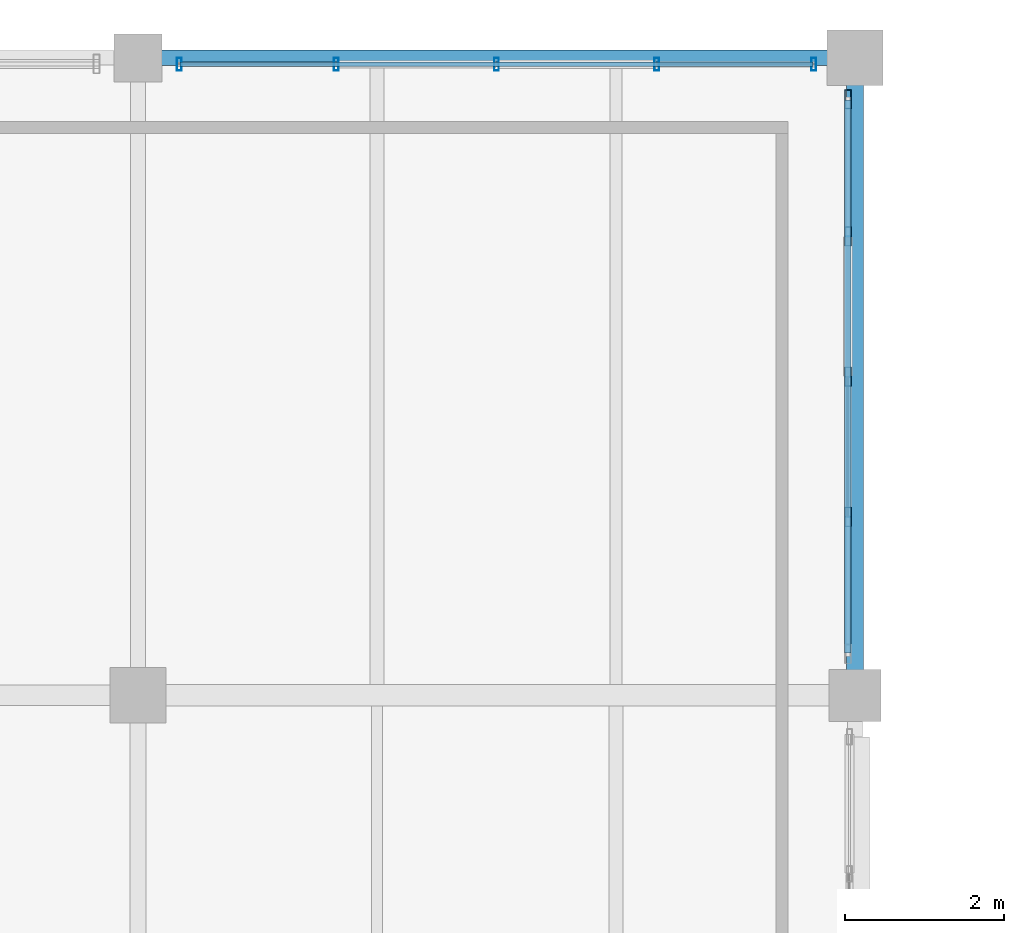
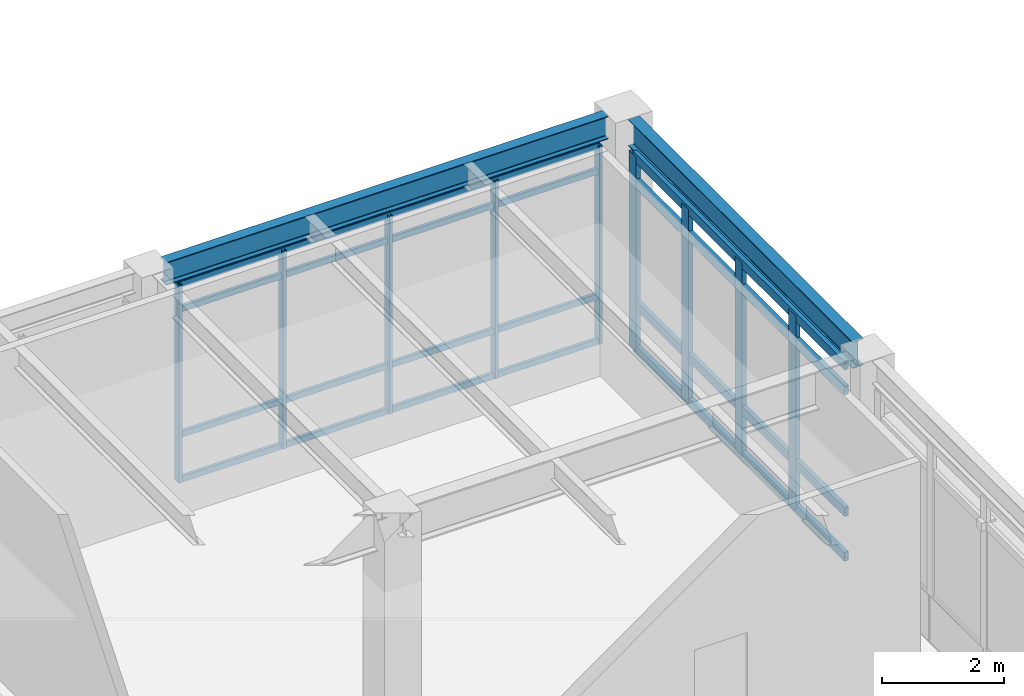
# One storey, part 97 of 200: 17 members, 2 beams, 2 elements without a shape of their own.
"""IFC4 building model written with IfcOpenShell, lengths in metres."""

from ifc_helpers import new_model, si_unit, direction, frame, origin, origin_2d, place, context, subcontext, project, spatial, hollow_rectangle, i_section, extrude, material, material_profile, profile_set, type_object, element, aggregate, save


model = new_model("IFC4")

# Units and contexts
model_context = context("Model", 3, precision=1e-05, world=origin(), true_north=direction((0.0, 1.0)))
body_context = subcontext(model_context, "Body", "Model", "MODEL_VIEW")
ifc_project = project(units=[si_unit("LENGTHUNIT", "METRE"), si_unit("AREAUNIT", "SQUARE_METRE"), si_unit("VOLUMEUNIT", "CUBIC_METRE"), si_unit("PLANEANGLEUNIT", "RADIAN"), si_unit("MASSUNIT", "GRAM", prefix="KILO"), si_unit("THERMODYNAMICTEMPERATUREUNIT", "KELVIN"), si_unit("POWERUNIT", "WATT")], contexts=[model_context])

# Site, building, storey
site_placement = place(None, origin())
site = spatial("IfcSite", under=ifc_project, at=site_placement, CompositionType="ELEMENT")
building_placement = place(site_placement, origin())
building = spatial("IfcBuilding", under=site, at=building_placement, Name="Tepalcoro Natatorium and Aquatics Centre", CompositionType="ELEMENT")
storey_placement = place(building_placement, frame((0.0, 0.0, 5.39990234375)))
storey = spatial("IfcBuildingStorey", under=building, at=storey_placement, Name="L01", CompositionType="ELEMENT", Elevation=5.39990234375)

# Curtain wall, members
ifc_material_1 = material(Name="Bronze-Anodised Extruded Aluminium Alloy EN AW-6063 T6", Category="aluminium")
curtain_wall_type_1 = type_object("IfcCurtainWallType", Name="CW_V5_LOWER", PredefinedType="USERDEFINED", material=ifc_material_1)
curtain_wall_1_placement = place(storey_placement, origin())
curtain_wall_1 = element("IfcCurtainWall", 1, at=curtain_wall_1_placement, inside=storey, type_object=curtain_wall_type_1, Name="V4 L01 N Unitised Curtain Wall Bay 9", ObjectType="UNITISED STOREFRONT", PredefinedType="USERDEFINED")
ifc_material_profile_1 = material_profile(ifc_material_1, hollow_rectangle(XDim=0.06005859375, YDim=0.159912109375, WallThickness=0.00390625, at=origin_2d()), Name="AL60X160X4")
ifc_profile_set_1 = profile_set([ifc_material_profile_1], Name="Bronze-Anodised Extruded Aluminium Alloy EN AW-6063 T6")
member_type_1 = type_object("IfcMemberType", Name="CW_MUL_60x160", PredefinedType="MULLION", material=ifc_profile_set_1)
member_1_placement = place(storey_placement, frame((80.52001953125, 117.919921875, 0.02001953125), z_axis=(0.0, 0.0, 1.0), x_axis=(1.0, 0.0, 0.0)))
member_1 = element("IfcMember", 2, at=member_1_placement, type_object=member_type_1, Name="CW_V5_LOWER Curtain Wall Mullion", PredefinedType="MULLION", context=body_context, shape_type="SweptSolid", body=[
    extrude(hollow_rectangle(XDim=0.06005859375, YDim=0.159912109375, WallThickness=0.00390625, at=origin_2d()), origin(), (0.0, 0.0, 1.0), 3.969970703125),
])
member_2_placement = place(storey_placement, frame((82.489990234375, 117.919921875, 0.02001953125), z_axis=(0.0, 0.0, 1.0), x_axis=(1.0, 0.0, 0.0)))
member_2 = element("IfcMember", 3, at=member_2_placement, type_object=member_type_1, Name="CW_V5_LOWER Curtain Wall Mullion", PredefinedType="MULLION", context=body_context, shape_type="SweptSolid", body=[
    extrude(hollow_rectangle(XDim=0.06005859375, YDim=0.159912109375, WallThickness=0.00390625, at=origin_2d()), origin(), (0.0, 0.0, 1.0), 3.969970703125),
])
member_3_placement = place(storey_placement, frame((84.5, 117.919921875, 0.02001953125), z_axis=(0.0, 0.0, 1.0), x_axis=(1.0, 0.0, 0.0)))
member_3 = element("IfcMember", 4, at=member_3_placement, type_object=member_type_1, Name="CW_V5_LOWER Curtain Wall Mullion", PredefinedType="MULLION", context=body_context, shape_type="SweptSolid", body=[
    extrude(hollow_rectangle(XDim=0.06005859375, YDim=0.159912109375, WallThickness=0.00390625, at=origin_2d()), origin(), (0.0, 0.0, 1.0), 3.969970703125),
])
member_4_placement = place(storey_placement, frame((86.510009765625, 117.919921875, 0.02001953125), z_axis=(0.0, 0.0, 1.0), x_axis=(1.0, 0.0, 0.0)))
member_4 = element("IfcMember", 5, at=member_4_placement, type_object=member_type_1, Name="CW_V5_LOWER Curtain Wall Mullion", PredefinedType="MULLION", context=body_context, shape_type="SweptSolid", body=[
    extrude(hollow_rectangle(XDim=0.06005859375, YDim=0.159912109375, WallThickness=0.00390625, at=origin_2d()), origin(), (0.0, 0.0, 1.0), 3.969970703125),
])
member_5_placement = place(storey_placement, frame((88.47998046875, 117.919921875, 0.02001953125), z_axis=(0.0, 0.0, 1.0), x_axis=(1.0, 0.0, 0.0)))
member_5 = element("IfcMember", 6, at=member_5_placement, type_object=member_type_1, Name="CW_V5_LOWER Curtain Wall Mullion", PredefinedType="MULLION", context=body_context, shape_type="SweptSolid", body=[
    extrude(hollow_rectangle(XDim=0.06005859375, YDim=0.159912109375, WallThickness=0.00390625, at=origin_2d()), origin(), (0.0, 0.0, 1.0), 3.969970703125),
])

curtain_wall_type_2 = type_object("IfcCurtainWallType", Name="CW_V1_PLINTH", PredefinedType="USERDEFINED", material=ifc_material_1)
curtain_wall_2_placement = place(storey_placement, origin())
curtain_wall_2 = element("IfcCurtainWall", 7, at=curtain_wall_2_placement, inside=storey, type_object=curtain_wall_type_2, Name="V4 L01 E Unitised Curtain Wall Bay 4", ObjectType="UNITISED STOREFRONT", PredefinedType="USERDEFINED")
ifc_material_profile_2 = material_profile(ifc_material_1, hollow_rectangle(XDim=0.080078125, YDim=0.239990234375, WallThickness=0.0048828125, at=origin_2d()), Name="AL80X240X5")
ifc_profile_set_2 = profile_set([ifc_material_profile_2], Name="Bronze-Anodised Extruded Aluminium Alloy EN AW-6063 T6")
member_type_2 = type_object("IfcMemberType", Name="CW_MUL_80x240", PredefinedType="MULLION", material=ifc_profile_set_2)
member_6_placement = place(storey_placement, frame((88.909912109375, 112.239990234375, 0.02001953125), z_axis=(0.0, 0.0, 1.0), x_axis=(1.0, 0.0, 0.0)))
member_6 = element("IfcMember", 8, at=member_6_placement, type_object=member_type_2, Name="CW_V1_PLINTH Curtain Wall Mullion", PredefinedType="MULLION", context=body_context, shape_type="SweptSolid", body=[
    extrude(hollow_rectangle(XDim=0.080078125, YDim=0.239990234375, WallThickness=0.0048828125, at=origin_2d()), origin(), (0.0, 0.0, 1.0), 3.89404296875),
])
member_7_placement = place(storey_placement, frame((88.909912109375, 114.0, 0.02001953125), z_axis=(0.0, 0.0, 1.0), x_axis=(1.0, 0.0, 0.0)))
member_7 = element("IfcMember", 9, at=member_7_placement, type_object=member_type_2, Name="CW_V1_PLINTH Curtain Wall Mullion", PredefinedType="MULLION", context=body_context, shape_type="SweptSolid", body=[
    extrude(hollow_rectangle(XDim=0.080078125, YDim=0.239990234375, WallThickness=0.0048828125, at=origin_2d()), origin(), (0.0, 0.0, 1.0), 3.89404296875),
])
member_8_placement = place(storey_placement, frame((88.909912109375, 115.760009765625, 0.02001953125), z_axis=(0.0, 0.0, 1.0), x_axis=(1.0, 0.0, 0.0)))
member_8 = element("IfcMember", 10, at=member_8_placement, type_object=member_type_2, Name="CW_V1_PLINTH Curtain Wall Mullion", PredefinedType="MULLION", context=body_context, shape_type="SweptSolid", body=[
    extrude(hollow_rectangle(XDim=0.080078125, YDim=0.239990234375, WallThickness=0.0048828125, at=origin_2d()), origin(), (0.0, 0.0, 1.0), 3.89404296875),
])
member_9_placement = place(storey_placement, frame((88.909912109375, 117.47998046875, 0.02001953125), z_axis=(0.0, 0.0, 1.0), x_axis=(1.0, 0.0, 0.0)))
member_9 = element("IfcMember", 11, at=member_9_placement, type_object=member_type_2, Name="CW_V1_PLINTH Curtain Wall Mullion", PredefinedType="MULLION", context=body_context, shape_type="SweptSolid", body=[
    extrude(hollow_rectangle(XDim=0.080078125, YDim=0.239990234375, WallThickness=0.0048828125, at=origin_2d()), origin(), (0.0, 0.0, 1.0), 3.89404296875),
])

# Member
ifc_material_profile_3 = material_profile(ifc_material_1, hollow_rectangle(XDim=0.06005859375, YDim=0.1201171875, WallThickness=0.00390625, at=origin_2d()), Name="AL60X120X4")
ifc_profile_set_3 = profile_set([ifc_material_profile_3], Name="Bronze-Anodised Extruded Aluminium Alloy EN AW-6063 T6")
member_type_3 = type_object("IfcMemberType", Name="CW_TRN_60x120", PredefinedType="USERDEFINED", material=ifc_profile_set_3)
member_10_placement = place(storey_placement, frame((80.530029296875, 117.919921875, 0.050048828125), z_axis=(1.0, 0.0, 0.0), x_axis=(0.0, 1.0, 0.0)))
member_10 = element("IfcMember", 12, at=member_10_placement, type_object=member_type_3, Name="CW_V5_LOWER Curtain Wall Transom", ObjectType="TRANSOM", PredefinedType="USERDEFINED", context=body_context, shape_type="SweptSolid", body=[
    extrude(hollow_rectangle(XDim=0.06005859375, YDim=0.1201171875, WallThickness=0.00390625, at=origin_2d()), origin(), (0.0, 0.0, 1.0), 7.93994140625),
])

member_11_placement = place(storey_placement, frame((80.530029296875, 117.919921875, 0.9501953125), z_axis=(1.0, 0.0, 0.0), x_axis=(0.0, 1.0, 0.0)))
member_11 = element("IfcMember", 13, at=member_11_placement, type_object=member_type_3, Name="CW_V5_LOWER Curtain Wall Transom", ObjectType="TRANSOM", PredefinedType="USERDEFINED", context=body_context, shape_type="SweptSolid", body=[
    extrude(hollow_rectangle(XDim=0.06005859375, YDim=0.1201171875, WallThickness=0.00390625, at=origin_2d()), origin(), (0.0, 0.0, 1.0), 7.93994140625),
])

member_12_placement = place(storey_placement, frame((80.530029296875, 117.919921875, 3.460205078125), z_axis=(1.0, 0.0, 0.0), x_axis=(0.0, 1.0, 0.0)))
member_12 = element("IfcMember", 14, at=member_12_placement, type_object=member_type_3, Name="CW_V5_LOWER Curtain Wall Transom", ObjectType="TRANSOM", PredefinedType="USERDEFINED", context=body_context, shape_type="SweptSolid", body=[
    extrude(hollow_rectangle(XDim=0.06005859375, YDim=0.1201171875, WallThickness=0.00390625, at=origin_2d()), origin(), (0.0, 0.0, 1.0), 7.93994140625),
])

member_13_placement = place(storey_placement, frame((80.530029296875, 117.919921875, 3.960205078125), z_axis=(1.0, 0.0, 0.0), x_axis=(0.0, 1.0, 0.0)))
member_13 = element("IfcMember", 15, at=member_13_placement, type_object=member_type_3, Name="CW_V5_LOWER Curtain Wall Transom", ObjectType="TRANSOM", PredefinedType="USERDEFINED", context=body_context, shape_type="SweptSolid", body=[
    extrude(hollow_rectangle(XDim=0.06005859375, YDim=0.1201171875, WallThickness=0.00390625, at=origin_2d()), origin(), (0.0, 0.0, 1.0), 7.93994140625),
])

aggregate(curtain_wall_1, [member_1, member_2, member_3, member_4, member_5, member_10, member_11, member_12, member_13])

ifc_material_profile_4 = material_profile(ifc_material_1, hollow_rectangle(XDim=0.080078125, YDim=0.179931640625, WallThickness=0.0048828125, at=origin_2d()), Name="AL80X180X5")
ifc_profile_set_4 = profile_set([ifc_material_profile_4], Name="Bronze-Anodised Extruded Aluminium Alloy EN AW-6063 T6")
member_type_4 = type_object("IfcMemberType", Name="CW_TRN_80x180", PredefinedType="USERDEFINED", material=ifc_profile_set_4)
member_14_placement = place(storey_placement, frame((88.909912109375, 110.530029296875, 0.050048828125), z_axis=(0.0, 1.0, 0.0), x_axis=(-1.0, 0.0, 0.0)))
member_14 = element("IfcMember", 16, at=member_14_placement, type_object=member_type_4, Name="CW_V1_PLINTH Curtain Wall Transom", ObjectType="TRANSOM", PredefinedType="USERDEFINED", context=body_context, shape_type="SweptSolid", body=[
    extrude(hollow_rectangle(XDim=0.080078125, YDim=0.179931640625, WallThickness=0.0048828125, at=origin_2d()), origin(), (0.0, 0.0, 1.0), 6.93994140625),
])

member_15_placement = place(storey_placement, frame((88.909912109375, 110.530029296875, 0.9501953125), z_axis=(0.0, 1.0, 0.0), x_axis=(-1.0, 0.0, 0.0)))
member_15 = element("IfcMember", 17, at=member_15_placement, type_object=member_type_4, Name="CW_V1_PLINTH Curtain Wall Transom", ObjectType="TRANSOM", PredefinedType="USERDEFINED", context=body_context, shape_type="SweptSolid", body=[
    extrude(hollow_rectangle(XDim=0.080078125, YDim=0.179931640625, WallThickness=0.0048828125, at=origin_2d()), origin(), (0.0, 0.0, 1.0), 6.93994140625),
])

member_16_placement = place(storey_placement, frame((88.909912109375, 110.530029296875, 3.384033203125), z_axis=(0.0, 1.0, 0.0), x_axis=(-1.0, 0.0, 0.0)))
member_16 = element("IfcMember", 18, at=member_16_placement, type_object=member_type_4, Name="CW_V1_PLINTH Curtain Wall Transom", ObjectType="TRANSOM", PredefinedType="USERDEFINED", context=body_context, shape_type="SweptSolid", body=[
    extrude(hollow_rectangle(XDim=0.080078125, YDim=0.179931640625, WallThickness=0.0048828125, at=origin_2d()), origin(), (0.0, 0.0, 1.0), 6.93994140625),
])

member_17_placement = place(storey_placement, frame((88.909912109375, 110.530029296875, 3.884033203125), z_axis=(0.0, 1.0, 0.0), x_axis=(-1.0, 0.0, 0.0)))
member_17 = element("IfcMember", 19, at=member_17_placement, type_object=member_type_4, Name="CW_V1_PLINTH Curtain Wall Transom", ObjectType="TRANSOM", PredefinedType="USERDEFINED", context=body_context, shape_type="SweptSolid", body=[
    extrude(hollow_rectangle(XDim=0.080078125, YDim=0.179931640625, WallThickness=0.0048828125, at=origin_2d()), origin(), (0.0, 0.0, 1.0), 6.93994140625),
])

aggregate(curtain_wall_2, [member_6, member_7, member_8, member_9, member_14, member_15, member_16, member_17])

# Beams
ifc_material_2 = material(Name="Steel ASTM A992 Grade 50 (Fy 345 MPa)", Category="steel")
ifc_material_profile_5 = material_profile(ifc_material_2, i_section(OverallWidth=0.19091796875, OverallDepth=0.4599609375, WebThickness=0.010009765625, FlangeThickness=0.01611328125, FilletRadius=0.013916015625, at=origin_2d()), Name="W18X55")
ifc_profile_set_5 = profile_set([ifc_material_profile_5], Name="Steel ASTM A992 Grade 50 (Fy 345 MPa)")
beam_type_1 = type_object("IfcBeamType", Name="SP_W18x55", PredefinedType="SPANDREL", material=ifc_profile_set_5)
beam_1_placement = place(storey_placement, frame((80.284912109375, 118.0, 4.255126953125), z_axis=(1.0, 0.0, 0.0), x_axis=(0.0, 1.0, 0.0)))
element("IfcBeam", 20, at=beam_1_placement, inside=storey, type_object=beam_type_1, Name="V4 L01 Grid Girder X", PredefinedType="SPANDREL", context=body_context, shape_type="SweptSolid", body=[
    extrude(i_section(OverallWidth=0.19091796875, OverallDepth=0.4599609375, WebThickness=0.010009765625, FlangeThickness=0.01611328125, FilletRadius=0.013916015625, at=origin_2d()), origin(), (0.0, 0.0, 1.0), 8.380126953125),
])
ifc_material_profile_6 = material_profile(ifc_material_2, i_section(OverallWidth=0.2099609375, OverallDepth=0.535888671875, WebThickness=0.010986328125, FlangeThickness=0.01708984375, FilletRadius=0.013916015625, at=origin_2d()), Name="W21X68")
ifc_profile_set_6 = profile_set([ifc_material_profile_6], Name="Steel ASTM A992 Grade 50 (Fy 345 MPa)")
beam_type_2 = type_object("IfcBeamType", Name="SP_W21x68", PredefinedType="SPANDREL", material=ifc_profile_set_6)
beam_2_placement = place(storey_placement, frame((89.0, 110.31005859375, 4.217041015625), z_axis=(0.0, 1.0, 0.0), x_axis=(-1.0, 0.0, 0.0)))
element("IfcBeam", 21, at=beam_2_placement, inside=storey, type_object=beam_type_2, Name="V4 L01 Grid Girder Y", PredefinedType="SPANDREL", context=body_context, shape_type="SweptSolid", body=[
    extrude(i_section(OverallWidth=0.2099609375, OverallDepth=0.535888671875, WebThickness=0.010986328125, FlangeThickness=0.01708984375, FilletRadius=0.013916015625, at=origin_2d()), origin(), (0.0, 0.0, 1.0), 7.35498046875),
])

save(model, "model.ifc")
